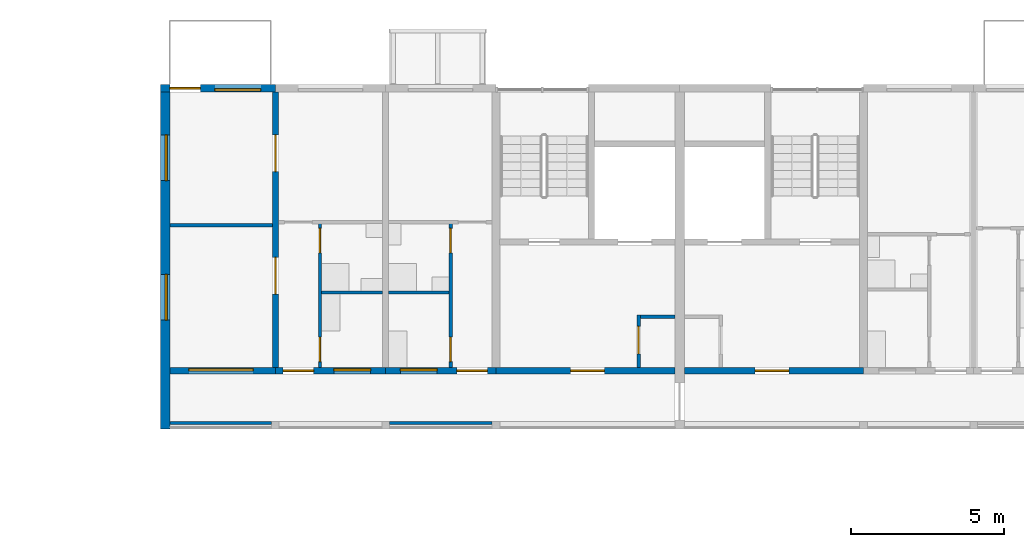
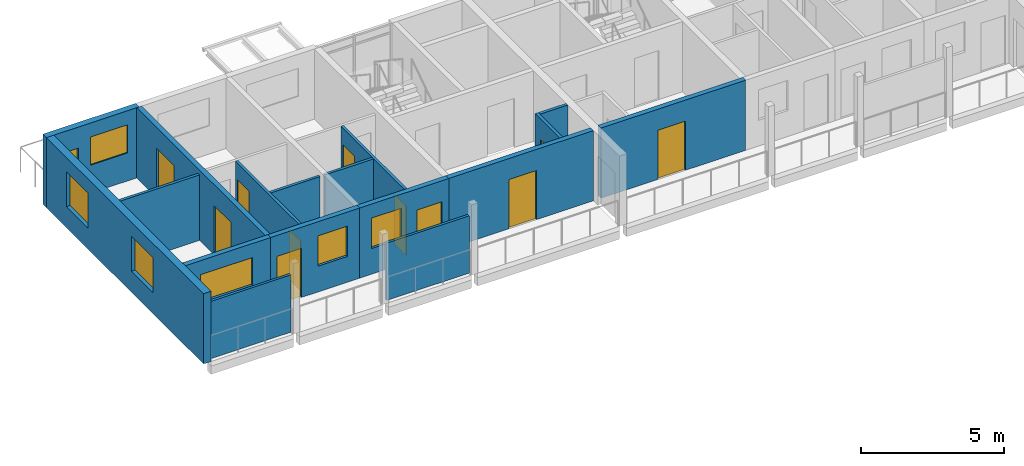
# One storey, part 48 of 115: 17 walls, 12 doors, 6 windows, 18 openings.
"""IFC4 building model written with IfcOpenShell, lengths in metres."""

from ifc_helpers import new_model, si_unit, direction, frame, frame_2d, origin, place, context, subcontext, project, spatial, rectangle, extrude, material, layer, layer_set, type_object, element, fill, save


model = new_model("IFC4")

# Units and contexts
model_context = context("Model", 3, precision=1e-05, world=origin(), true_north=direction((0.0, 1.0)))
body_context = subcontext(model_context, "Body", "Model", "MODEL_VIEW")
ifc_project = project(units=[si_unit("LENGTHUNIT", "METRE"), si_unit("AREAUNIT", "SQUARE_METRE"), si_unit("VOLUMEUNIT", "CUBIC_METRE"), si_unit("PLANEANGLEUNIT", "RADIAN"), si_unit("MASSUNIT", "GRAM", prefix="KILO")], contexts=[model_context])

# Site, building, storey
site_placement = place(None, origin())
site = spatial("IfcSite", under=ifc_project, at=site_placement, CompositionType="ELEMENT")
building_placement = place(site_placement, origin())
building = spatial("IfcBuilding", under=site, at=building_placement, Name="Ridgestep Commons", CompositionType="ELEMENT")
storey_placement = place(building_placement, frame((0.0, 0.0, 6.0)))
storey = spatial("IfcBuildingStorey", under=building, at=storey_placement, Name="L02", CompositionType="ELEMENT", Elevation=6.0)

# Wall, opening, door
ifc_material_1 = material(Name="Concrete C30/37", Category="concrete")
ifc_layer_1 = layer(ifc_material_1, 0.199951171875)
ifc_layer_set_1 = layer_set([ifc_layer_1], Name="Core south wall 200")
wall_type_1 = type_object("IfcWallType", Name="Core south wall 200", PredefinedType="SHEAR", material=ifc_layer_set_1)
wall_1_placement = place(storey_placement, frame((22.800048828125, 67.89990234375, 0.0), z_axis=(0.0, 0.0, 1.0), x_axis=(1.0, 0.0, 0.0)))
wall_1 = element("IfcWall", 1, at=wall_1_placement, inside=storey, type_object=wall_type_1, Name="Core south wall B1C L02", PredefinedType="SHEAR", context=body_context, shape_type="SweptSolid", body=[
    extrude(rectangle(XDim=5.849853515625, YDim=0.199951171875, at=frame_2d((2.9248046875, 0.0))), origin(), (0.0, 0.0, 1.0), 3.0),
])
opening_1_placement = place(wall_1_placement, frame((2.4375, 0.0, 0.0)))
opening_1 = element("IfcOpeningElement", 2, at=opening_1_placement, cuts=wall_1, Name="Opening B1C/02/1", PredefinedType="OPENING", context=body_context, shape_type="SweptSolid", body=[
    extrude(rectangle(XDim=1.10009765625, YDim=2.10009765625, at=frame_2d((0.550048828125, 1.050048828125))), frame((0.0, 0.10986328125, 0.0), z_axis=(0.0, -1.0, 0.0), x_axis=(1.0, 0.0, 0.0)), (0.0, 0.0, 1.0), 0.219970703125),
])
ifc_material_2 = material(Name="Steel fire door", Category="steel")
door_type_1 = type_object("IfcDoorType", Name="Lobby door 1100 x 2100 FD60", OperationType="NOTDEFINED", PredefinedType="DOOR", material=ifc_material_2)
door_1_placement = place(opening_1_placement, origin())
door_1 = element("IfcDoor", 3, at=door_1_placement, inside=storey, type_object=door_type_1, Name="Lobby door B1C/02/1", OperationType="SINGLE_SWING_LEFT", OverallHeight=2.10009765625, OverallWidth=1.10009765625, PredefinedType="DOOR", context=body_context, shape_type="SweptSolid", body=[
    extrude(rectangle(XDim=1.10009765625, YDim=2.10009765625, at=frame_2d((0.550048828125, 1.050048828125))), frame((0.0, 0.02490234375, 0.0), z_axis=(0.0, -1.0, 0.0), x_axis=(1.0, 0.0, 0.0)), (0.0, 0.0, 1.0), 0.050048828125),
])
fill(opening_1, door_1)

wall_2_placement = place(storey_placement, frame((28.949951171875, 67.89990234375, 0.0), z_axis=(0.0, 0.0, 1.0), x_axis=(1.0, 0.0, 0.0)))
wall_2 = element("IfcWall", 4, at=wall_2_placement, inside=storey, type_object=wall_type_1, Name="Core south wall B2C L02", PredefinedType="SHEAR", context=body_context, shape_type="SweptSolid", body=[
    extrude(rectangle(XDim=5.85009765625, YDim=0.199951171875, at=frame_2d((2.925048828125, 0.0))), origin(), (0.0, 0.0, 1.0), 3.0),
])
opening_2_placement = place(wall_2_placement, frame((2.3125, 0.0, 0.0)))
opening_2 = element("IfcOpeningElement", 5, at=opening_2_placement, cuts=wall_2, Name="Opening B2C/02/1", PredefinedType="OPENING", context=body_context, shape_type="SweptSolid", body=[
    extrude(rectangle(XDim=1.10009765625, YDim=2.10009765625, at=frame_2d((0.550048828125, 1.050048828125))), frame((0.0, 0.10986328125, 0.0), z_axis=(0.0, -1.0, 0.0), x_axis=(1.0, 0.0, 0.0)), (0.0, 0.0, 1.0), 0.219970703125),
])
door_2_placement = place(opening_2_placement, origin())
door_2 = element("IfcDoor", 6, at=door_2_placement, inside=storey, type_object=door_type_1, Name="Lobby door B2C/02/1", OperationType="SINGLE_SWING_LEFT", OverallHeight=2.10009765625, OverallWidth=1.10009765625, PredefinedType="DOOR", context=body_context, shape_type="SweptSolid", body=[
    extrude(rectangle(XDim=1.10009765625, YDim=2.10009765625, at=frame_2d((0.550048828125, 1.050048828125))), frame((0.0, 0.02490234375, 0.0), z_axis=(0.0, -1.0, 0.0), x_axis=(1.0, 0.0, 0.0)), (0.0, 0.0, 1.0), 0.050048828125),
])
fill(opening_2, door_2)

ifc_material_3 = material(Name="Concrete C30/37", Category="concrete")
ifc_layer_2 = layer(ifc_material_3, 0.1201171875)
ifc_layer_set_2 = layer_set([ifc_layer_2], Name="Core wall 120")
wall_type_2 = type_object("IfcWallType", Name="Core wall 120", PredefinedType="SHEAR", material=ifc_layer_set_2)
wall_3_placement = place(storey_placement, frame((27.4599609375, 68.0, 0.0), z_axis=(0.0, 0.0, 1.0), x_axis=(0.0, 1.0, 0.0)))
wall_3 = element("IfcWall", 7, at=wall_3_placement, inside=storey, type_object=wall_type_2, Name="Core riser w wall B1C L02", PredefinedType="SHEAR", context=body_context, shape_type="SweptSolid", body=[
    extrude(rectangle(XDim=1.719970703125, YDim=0.1201171875, at=frame_2d((0.85986328125, 0.0))), origin(), (0.0, 0.0, 1.0), 3.0),
])
opening_3_placement = place(wall_3_placement, frame((0.449951171875, 0.0, 0.0)))
opening_3 = element("IfcOpeningElement", 8, at=opening_3_placement, cuts=wall_3, Name="Opening B1C/02/4", PredefinedType="OPENING", context=body_context, shape_type="SweptSolid", body=[
    extrude(rectangle(XDim=0.89990234375, YDim=2.10009765625, at=frame_2d((0.449951171875, 1.050048828125))), frame((0.0, 0.070068359375, 0.0), z_axis=(0.0, -1.0, 0.0), x_axis=(1.0, 0.0, 0.0)), (0.0, 0.0, 1.0), 0.14013671875),
])
ifc_material_4 = material(Name="Steel fire door", Category="steel")
door_type_2 = type_object("IfcDoorType", Name="Riser door 900 x 2100 FD60", OperationType="NOTDEFINED", PredefinedType="DOOR", material=ifc_material_4)
door_3_placement = place(opening_3_placement, origin())
door_3 = element("IfcDoor", 9, at=door_3_placement, inside=storey, type_object=door_type_2, Name="Riser door B1C/02/4", OperationType="SINGLE_SWING_LEFT", OverallHeight=2.10009765625, OverallWidth=0.89990234375, PredefinedType="DOOR", context=body_context, shape_type="SweptSolid", body=[
    extrude(rectangle(XDim=0.89990234375, YDim=2.10009765625, at=frame_2d((0.449951171875, 1.050048828125))), frame((0.0, 0.02490234375, 0.0), z_axis=(0.0, -1.0, 0.0), x_axis=(1.0, 0.0, 0.0)), (0.0, 0.0, 1.0), 0.050048828125),
])
fill(opening_3, door_3)

# Wall
wall_4_placement = place(storey_placement, frame((27.52001953125, 69.659912109375, 0.0), z_axis=(0.0, 0.0, 1.0), x_axis=(1.0, 0.0, 0.0)))
element("IfcWall", 10, at=wall_4_placement, inside=storey, type_object=wall_type_2, Name="Core riser n wall B1C L02", PredefinedType="SHEAR", context=body_context, shape_type="SweptSolid", body=[
    extrude(rectangle(XDim=1.1298828125, YDim=0.1201171875, at=frame_2d((0.56494140625, 0.0))), origin(), (0.0, 0.0, 1.0), 3.0),
])

# Wall, openings, doors
ifc_material_5 = material(Name="Precast concrete C40/50", Category="concrete")
ifc_layer_3 = layer(ifc_material_5, 0.199951171875)
ifc_layer_set_3 = layer_set([ifc_layer_3], Name="Cross wall 200")
wall_type_3 = type_object("IfcWallType", Name="Cross wall 200", PredefinedType="SHEAR", material=ifc_layer_set_3)
wall_5_placement = place(storey_placement, frame((15.60009765625, 68.0, 0.0), z_axis=(0.0, 0.0, 1.0), x_axis=(0.0, 1.0, 0.0)))
wall_5 = element("IfcWall", 11, at=wall_5_placement, inside=storey, type_object=wall_type_3, Name="Cross wall B-02-0156", PredefinedType="SHEAR", context=body_context, shape_type="SweptSolid", body=[
    extrude(rectangle(XDim=9.0, YDim=0.199951171875, at=frame_2d((4.5, 0.0))), origin(), (0.0, 0.0, 1.0), 3.0),
])
opening_4_placement = place(wall_5_placement, frame((2.39990234375, 0.0, 0.0)))
opening_4 = element("IfcOpeningElement", 12, at=opening_4_placement, cuts=wall_5, Name="Opening B1-02a/5", PredefinedType="OPENING", context=body_context, shape_type="SweptSolid", body=[
    extrude(rectangle(XDim=1.199951171875, YDim=2.10009765625, at=frame_2d((0.60009765625, 1.050048828125))), frame((0.0, 0.10986328125, 0.0), z_axis=(0.0, -1.0, 0.0), x_axis=(1.0, 0.0, 0.0)), (0.0, 0.0, 1.0), 0.219970703125),
])
opening_5_placement = place(wall_5_placement, frame((6.39990234375, 0.0, 0.0)))
opening_5 = element("IfcOpeningElement", 13, at=opening_5_placement, cuts=wall_5, Name="Opening B1-02a/6", PredefinedType="OPENING", context=body_context, shape_type="SweptSolid", body=[
    extrude(rectangle(XDim=1.199951171875, YDim=2.10009765625, at=frame_2d((0.60009765625, 1.050048828125))), frame((0.0, 0.10986328125, 0.0), z_axis=(0.0, -1.0, 0.0), x_axis=(1.0, 0.0, 0.0)), (0.0, 0.0, 1.0), 0.219970703125),
])
ifc_material_6 = material(Name="Timber door leaf", Category="wood")
door_type_3 = type_object("IfcDoorType", Name="Double door 1200 x 2100", OperationType="DOUBLE_DOOR_SINGLE_SWING", PredefinedType="DOOR", material=ifc_material_6)
door_4_placement = place(opening_4_placement, origin())
door_4 = element("IfcDoor", 14, at=door_4_placement, inside=storey, type_object=door_type_3, Name="Double door B1-02a/5", OperationType="DOUBLE_DOOR_SINGLE_SWING", OverallHeight=2.10009765625, OverallWidth=1.199951171875, PredefinedType="DOOR", context=body_context, shape_type="SweptSolid", body=[
    extrude(rectangle(XDim=1.199951171875, YDim=2.10009765625, at=frame_2d((0.60009765625, 1.050048828125))), frame((0.0, 0.02490234375, 0.0), z_axis=(0.0, -1.0, 0.0), x_axis=(1.0, 0.0, 0.0)), (0.0, 0.0, 1.0), 0.050048828125),
])
fill(opening_4, door_4)
door_5_placement = place(opening_5_placement, origin())
door_5 = element("IfcDoor", 15, at=door_5_placement, inside=storey, type_object=door_type_3, Name="Double door B1-02a/6", OperationType="DOUBLE_DOOR_SINGLE_SWING", OverallHeight=2.10009765625, OverallWidth=1.199951171875, PredefinedType="DOOR", context=body_context, shape_type="SweptSolid", body=[
    extrude(rectangle(XDim=1.199951171875, YDim=2.10009765625, at=frame_2d((0.60009765625, 1.050048828125))), frame((0.0, 0.02490234375, 0.0), z_axis=(0.0, -1.0, 0.0), x_axis=(1.0, 0.0, 0.0)), (0.0, 0.0, 1.0), 0.050048828125),
])
fill(opening_5, door_5)

# Wall, openings, windows
ifc_material_7 = material(Name="Precast concrete C40/50", Category="concrete")
ifc_layer_4 = layer(ifc_material_7, 0.300048828125)
ifc_layer_set_4 = layer_set([ifc_layer_4], Name="Exposed division wall 300")
wall_type_4 = type_object("IfcWallType", Name="Exposed division wall 300", PredefinedType="SHEAR", material=ifc_layer_set_4)
wall_6_placement = place(storey_placement, frame((12.0, 66.0, 0.0), z_axis=(0.0, 0.0, 1.0), x_axis=(0.0, 1.0, 0.0)))
wall_6 = element("IfcWall", 16, at=wall_6_placement, inside=storey, type_object=wall_type_4, Name="Cross wall B-02-0120", PredefinedType="SHEAR", context=body_context, shape_type="SweptSolid", body=[
    extrude(rectangle(XDim=11.0, YDim=0.300048828125, at=frame_2d((5.5, 0.0))), origin(), (0.0, 0.0, 1.0), 3.0),
])
opening_6_placement = place(wall_6_placement, frame((3.550048828125, 0.0, 0.89990234375)))
opening_6 = element("IfcOpeningElement", 17, at=opening_6_placement, cuts=wall_6, Name="Opening W16", PredefinedType="OPENING", context=body_context, shape_type="SweptSolid", body=[
    extrude(rectangle(XDim=1.5, YDim=1.5, at=frame_2d((0.75, 0.75))), frame((0.0, 0.159912109375, 0.0), z_axis=(0.0, -1.0, 0.0), x_axis=(1.0, 0.0, 0.0)), (0.0, 0.0, 1.0), 0.320068359375),
])
opening_7_placement = place(wall_6_placement, frame((8.10498046875, 0.0, 0.89990234375)))
opening_7 = element("IfcOpeningElement", 18, at=opening_7_placement, cuts=wall_6, Name="Opening W16", PredefinedType="OPENING", context=body_context, shape_type="SweptSolid", body=[
    extrude(rectangle(XDim=1.5, YDim=1.5, at=frame_2d((0.75, 0.75))), frame((0.0, 0.159912109375, 0.0), z_axis=(0.0, -1.0, 0.0), x_axis=(1.0, 0.0, 0.0)), (0.0, 0.0, 1.0), 0.320068359375),
])
ifc_material_8 = material(Name="Aluminium 6063-T6 and glass", Category="aluminium")
window_type_1 = type_object("IfcWindowType", Name="Flat window 1500 x 1500", PartitioningType="DOUBLE_PANEL_VERTICAL", PredefinedType="WINDOW", material=ifc_material_8)
window_1_placement = place(opening_6_placement, origin())
window_1 = element("IfcWindow", 19, at=window_1_placement, inside=storey, type_object=window_type_1, Name="Window B1-02a 5", OverallHeight=1.5, OverallWidth=1.5, PartitioningType="SINGLE_PANEL", PredefinedType="WINDOW", context=body_context, shape_type="SweptSolid", body=[
    extrude(rectangle(XDim=1.5, YDim=1.5, at=frame_2d((0.75, 0.75))), frame((0.0, 0.0, 0.0), z_axis=(0.0, -1.0, 0.0), x_axis=(1.0, 0.0, 0.0)), (0.0, 0.0, 1.0), 0.06005859375),
])
fill(opening_6, window_1)
window_2_placement = place(opening_7_placement, origin())
window_2 = element("IfcWindow", 20, at=window_2_placement, inside=storey, type_object=window_type_1, Name="Window B1-02a 6", OverallHeight=1.5, OverallWidth=1.5, PartitioningType="SINGLE_PANEL", PredefinedType="WINDOW", context=body_context, shape_type="SweptSolid", body=[
    extrude(rectangle(XDim=1.5, YDim=1.5, at=frame_2d((0.75, 0.75))), frame((0.0, 0.0, 0.0), z_axis=(0.0, -1.0, 0.0), x_axis=(1.0, 0.0, 0.0)), (0.0, 0.0, 1.0), 0.06005859375),
])
fill(opening_7, window_2)

# Wall, openings, door, window
ifc_material_9 = material(Name="Precast concrete C40/50", Category="concrete")
ifc_layer_5 = layer(ifc_material_9, 0.25)
ifc_layer_set_5 = layer_set([ifc_layer_5], Name="North facade panel 250")
wall_type_5 = type_object("IfcWallType", Name="North facade panel 250", PredefinedType="SOLIDWALL", material=ifc_layer_set_5)
wall_7_placement = place(storey_placement, frame((11.85009765625, 77.125, 0.0), z_axis=(0.0, 0.0, 1.0), x_axis=(1.0, 0.0, 0.0)))
wall_7 = element("IfcWall", 21, at=wall_7_placement, inside=storey, type_object=wall_type_5, Name="North panel B1T1 L02", PredefinedType="SOLIDWALL", context=body_context, shape_type="SweptSolid", body=[
    extrude(rectangle(XDim=3.75, YDim=0.25, at=frame_2d((1.875, 0.0))), origin(), (0.0, 0.0, 1.0), 3.0),
])
opening_8_placement = place(wall_7_placement, frame((1.77490234375, 0.0, 1.199951171875)))
opening_8 = element("IfcOpeningElement", 22, at=opening_8_placement, cuts=wall_7, Name="Opening W13", PredefinedType="OPENING", context=body_context, shape_type="SweptSolid", body=[
    extrude(rectangle(XDim=1.5, YDim=1.199951171875, at=frame_2d((0.75, 0.60009765625))), frame((0.0, 0.135009765625, 0.0), z_axis=(0.0, -1.0, 0.0), x_axis=(1.0, 0.0, 0.0)), (0.0, 0.0, 1.0), 0.27001953125),
])
opening_9_placement = place(wall_7_placement, frame((0.300048828125, 0.0, 0.0)))
opening_9 = element("IfcOpeningElement", 23, at=opening_9_placement, cuts=wall_7, Name="Opening B1-02a/7", PredefinedType="OPENING", context=body_context, shape_type="SweptSolid", body=[
    extrude(rectangle(XDim=1.0, YDim=2.10009765625, at=frame_2d((0.5, 1.050048828125))), frame((0.0, 0.135009765625, 0.0), z_axis=(0.0, -1.0, 0.0), x_axis=(1.0, 0.0, 0.0)), (0.0, 0.0, 1.0), 0.27001953125),
])
ifc_material_10 = material(Name="Aluminium and glass", Category="aluminium")
door_type_4 = type_object("IfcDoorType", Name="Balcony door 1000 x 2100", OperationType="NOTDEFINED", PredefinedType="DOOR", material=ifc_material_10)
door_6_placement = place(opening_9_placement, origin())
door_6 = element("IfcDoor", 24, at=door_6_placement, inside=storey, type_object=door_type_4, Name="Balcony door B1-02a/7", OperationType="SINGLE_SWING_RIGHT", OverallHeight=2.10009765625, OverallWidth=1.0, PredefinedType="DOOR", context=body_context, shape_type="SweptSolid", body=[
    extrude(rectangle(XDim=1.0, YDim=2.10009765625, at=frame_2d((0.5, 1.050048828125))), frame((0.0, 0.02490234375, 0.0), z_axis=(0.0, -1.0, 0.0), x_axis=(1.0, 0.0, 0.0)), (0.0, 0.0, 1.0), 0.050048828125),
])
fill(opening_9, door_6)
ifc_material_11 = material(Name="Aluminium 6063-T6 and glass", Category="aluminium")
window_type_2 = type_object("IfcWindowType", Name="Flat window 1500 x 1200", PartitioningType="DOUBLE_PANEL_VERTICAL", PredefinedType="WINDOW", material=ifc_material_11)
window_3_placement = place(opening_8_placement, origin())
window_3 = element("IfcWindow", 25, at=window_3_placement, inside=storey, type_object=window_type_2, Name="Window B1-02a 2", OverallHeight=1.199951171875, OverallWidth=1.5, PartitioningType="SINGLE_PANEL", PredefinedType="WINDOW", context=body_context, shape_type="SweptSolid", body=[
    extrude(rectangle(XDim=1.5, YDim=1.199951171875, at=frame_2d((0.75, 0.60009765625))), frame((0.0, -0.02490234375, 0.0), z_axis=(0.0, -1.0, 0.0), x_axis=(1.0, 0.0, 0.0)), (0.0, 0.0, 1.0), 0.06005859375),
])
fill(opening_8, window_3)

# Wall, openings, doors
ifc_material_12 = material(Name="Common brick 110 mm", Category="masonry")
ifc_layer_6 = layer(ifc_material_12, 0.110107421875)
ifc_layer_set_6 = layer_set([ifc_layer_6], Name="Partition 110")
wall_type_6 = type_object("IfcWallType", Name="Partition 110", PredefinedType="PARTITIONING", material=ifc_layer_set_6)
wall_8_placement = place(storey_placement, frame((17.054931640625, 68.0, 0.0), z_axis=(0.0, 0.0, 1.0), x_axis=(0.0, 1.0, 0.0)))
wall_8 = element("IfcWall", 26, at=wall_8_placement, inside=storey, type_object=wall_type_6, Name="Partition B1-02a", PredefinedType="PARTITIONING", context=body_context, shape_type="SweptSolid", body=[
    extrude(rectangle(XDim=4.699951171875, YDim=0.110107421875, at=frame_2d((2.35009765625, 0.0))), origin(), (0.0, 0.0, 1.0), 2.800048828125),
])
opening_10_placement = place(wall_8_placement, frame((0.199951171875, 0.0, 0.0)))
opening_10 = element("IfcOpeningElement", 27, at=opening_10_placement, cuts=wall_8, Name="Opening B1-02a/2", PredefinedType="OPENING", context=body_context, shape_type="SweptSolid", body=[
    extrude(rectangle(XDim=0.800048828125, YDim=2.10009765625, at=frame_2d((0.39990234375, 1.050048828125))), frame((0.0, 0.06494140625, 0.0), z_axis=(0.0, -1.0, 0.0), x_axis=(1.0, 0.0, 0.0)), (0.0, 0.0, 1.0), 0.130126953125),
])
opening_11_placement = place(wall_8_placement, frame((3.75, 0.0, 0.0)))
opening_11 = element("IfcOpeningElement", 28, at=opening_11_placement, cuts=wall_8, Name="Opening B1-02a/3", PredefinedType="OPENING", context=body_context, shape_type="SweptSolid", body=[
    extrude(rectangle(XDim=0.800048828125, YDim=2.10009765625, at=frame_2d((0.39990234375, 1.050048828125))), frame((0.0, 0.06494140625, 0.0), z_axis=(0.0, -1.0, 0.0), x_axis=(1.0, 0.0, 0.0)), (0.0, 0.0, 1.0), 0.130126953125),
])
ifc_material_13 = material(Name="Timber door leaf", Category="wood")
door_type_5 = type_object("IfcDoorType", Name="Internal door 800 x 2100", OperationType="NOTDEFINED", PredefinedType="DOOR", material=ifc_material_13)
door_7_placement = place(opening_10_placement, origin())
door_7 = element("IfcDoor", 29, at=door_7_placement, inside=storey, type_object=door_type_5, Name="Internal door B1-02a/2", OperationType="SINGLE_SWING_RIGHT", OverallHeight=2.10009765625, OverallWidth=0.800048828125, PredefinedType="DOOR", context=body_context, shape_type="SweptSolid", body=[
    extrude(rectangle(XDim=0.800048828125, YDim=2.10009765625, at=frame_2d((0.39990234375, 1.050048828125))), frame((0.0, 0.02490234375, 0.0), z_axis=(0.0, -1.0, 0.0), x_axis=(1.0, 0.0, 0.0)), (0.0, 0.0, 1.0), 0.050048828125),
])
fill(opening_10, door_7)
door_8_placement = place(opening_11_placement, origin())
door_8 = element("IfcDoor", 30, at=door_8_placement, inside=storey, type_object=door_type_5, Name="Internal door B1-02a/3", OperationType="SINGLE_SWING_LEFT", OverallHeight=2.10009765625, OverallWidth=0.800048828125, PredefinedType="DOOR", context=body_context, shape_type="SweptSolid", body=[
    extrude(rectangle(XDim=0.800048828125, YDim=2.10009765625, at=frame_2d((0.39990234375, 1.050048828125))), frame((0.0, 0.02490234375, 0.0), z_axis=(0.0, -1.0, 0.0), x_axis=(1.0, 0.0, 0.0)), (0.0, 0.0, 1.0), 0.050048828125),
])
fill(opening_11, door_8)

# Walls
wall_9_placement = place(storey_placement, frame((17.110107421875, 70.455078125, 0.0), z_axis=(0.0, 0.0, 1.0), x_axis=(1.0, 0.0, 0.0)))
element("IfcWall", 31, at=wall_9_placement, inside=storey, type_object=wall_type_6, Name="Partition B1-02a", PredefinedType="PARTITIONING", context=body_context, shape_type="SweptSolid", body=[
    extrude(rectangle(XDim=1.989990234375, YDim=0.110107421875, at=frame_2d((0.9951171875, 0.0))), origin(), (0.0, 0.0, 1.0), 2.800048828125),
])
wall_10_placement = place(storey_placement, frame((12.14990234375, 72.655029296875, 0.0), z_axis=(0.0, 0.0, 1.0), x_axis=(1.0, 0.0, 0.0)))
element("IfcWall", 32, at=wall_10_placement, inside=storey, type_object=wall_type_6, Name="Partition B1-02a", PredefinedType="PARTITIONING", context=body_context, shape_type="SweptSolid", body=[
    extrude(rectangle(XDim=3.35009765625, YDim=0.110107421875, at=frame_2d((1.675048828125, 0.0))), origin(), (0.0, 0.0, 1.0), 2.800048828125),
])
wall_11_placement = place(storey_placement, frame((19.300048828125, 70.455078125, 0.0), z_axis=(0.0, 0.0, 1.0), x_axis=(1.0, 0.0, 0.0)))
element("IfcWall", 33, at=wall_11_placement, inside=storey, type_object=wall_type_6, Name="Partition B1-02b", PredefinedType="PARTITIONING", context=body_context, shape_type="SweptSolid", body=[
    extrude(rectangle(XDim=1.96484375, YDim=0.110107421875, at=frame_2d((0.982421875, 0.0))), origin(), (0.0, 0.0, 1.0), 2.800048828125),
])

# Wall, openings, doors
wall_12_placement = place(storey_placement, frame((21.320068359375, 68.0, 0.0), z_axis=(0.0, 0.0, 1.0), x_axis=(0.0, 1.0, 0.0)))
wall_12 = element("IfcWall", 34, at=wall_12_placement, inside=storey, type_object=wall_type_6, Name="Partition B1-02b", PredefinedType="PARTITIONING", context=body_context, shape_type="SweptSolid", body=[
    extrude(rectangle(XDim=4.699951171875, YDim=0.110107421875, at=frame_2d((2.35009765625, 0.0))), origin(), (0.0, 0.0, 1.0), 2.800048828125),
])
opening_12_placement = place(wall_12_placement, frame((0.199951171875, 0.0, 0.0)))
opening_12 = element("IfcOpeningElement", 35, at=opening_12_placement, cuts=wall_12, Name="Opening B1-02b/2", PredefinedType="OPENING", context=body_context, shape_type="SweptSolid", body=[
    extrude(rectangle(XDim=0.800048828125, YDim=2.10009765625, at=frame_2d((0.39990234375, 1.050048828125))), frame((0.0, 0.06494140625, 0.0), z_axis=(0.0, -1.0, 0.0), x_axis=(1.0, 0.0, 0.0)), (0.0, 0.0, 1.0), 0.130126953125),
])
opening_13_placement = place(wall_12_placement, frame((3.75, 0.0, 0.0)))
opening_13 = element("IfcOpeningElement", 36, at=opening_13_placement, cuts=wall_12, Name="Opening B1-02b/3", PredefinedType="OPENING", context=body_context, shape_type="SweptSolid", body=[
    extrude(rectangle(XDim=0.800048828125, YDim=2.10009765625, at=frame_2d((0.39990234375, 1.050048828125))), frame((0.0, 0.06494140625, 0.0), z_axis=(0.0, -1.0, 0.0), x_axis=(1.0, 0.0, 0.0)), (0.0, 0.0, 1.0), 0.130126953125),
])
door_9_placement = place(opening_12_placement, origin())
door_9 = element("IfcDoor", 37, at=door_9_placement, inside=storey, type_object=door_type_5, Name="Internal door B1-02b/2", OperationType="SINGLE_SWING_LEFT", OverallHeight=2.10009765625, OverallWidth=0.800048828125, PredefinedType="DOOR", context=body_context, shape_type="SweptSolid", body=[
    extrude(rectangle(XDim=0.800048828125, YDim=2.10009765625, at=frame_2d((0.39990234375, 1.050048828125))), frame((0.0, 0.02490234375, 0.0), z_axis=(0.0, -1.0, 0.0), x_axis=(1.0, 0.0, 0.0)), (0.0, 0.0, 1.0), 0.050048828125),
])
fill(opening_12, door_9)
door_10_placement = place(opening_13_placement, origin())
door_10 = element("IfcDoor", 38, at=door_10_placement, inside=storey, type_object=door_type_5, Name="Internal door B1-02b/3", OperationType="SINGLE_SWING_RIGHT", OverallHeight=2.10009765625, OverallWidth=0.800048828125, PredefinedType="DOOR", context=body_context, shape_type="SweptSolid", body=[
    extrude(rectangle(XDim=0.800048828125, YDim=2.10009765625, at=frame_2d((0.39990234375, 1.050048828125))), frame((0.0, 0.02490234375, 0.0), z_axis=(0.0, -1.0, 0.0), x_axis=(1.0, 0.0, 0.0)), (0.0, 0.0, 1.0), 0.050048828125),
])
fill(opening_13, door_10)

# Walls
ifc_material_14 = material(Name="Precast concrete C30/37", Category="concrete")
ifc_layer_7 = layer(ifc_material_14, 0.10009765625)
ifc_layer_set_7 = layer_set([ifc_layer_7], Name="Perforated gallery screen 3325 x 2450 x 100")
wall_type_7 = type_object("IfcWallType", Name="Perforated gallery screen 3325 x 2450 x 100", PredefinedType="SOLIDWALL", material=ifc_layer_set_7)
wall_13_placement = place(storey_placement, frame((12.14990234375, 66.199951171875, 0.0), z_axis=(0.0, 0.0, 1.0), x_axis=(1.0, 0.0, 0.0)))
element("IfcWall", 39, at=wall_13_placement, inside=storey, type_object=wall_type_7, Name="Gallery screen B1T1 02", PredefinedType="SOLIDWALL", context=body_context, shape_type="SweptSolid", body=[
    extrude(rectangle(XDim=3.3251953125, YDim=0.10009765625, at=frame_2d((1.66259765625, 0.0))), origin(), (0.0, 0.0, 1.0), 2.449951171875),
])
ifc_material_15 = material(Name="Precast concrete C30/37", Category="concrete")
ifc_layer_8 = layer(ifc_material_15, 0.10009765625)
ifc_layer_set_8 = layer_set([ifc_layer_8], Name="Perforated gallery screen 3350 x 2450 x 100")
wall_type_8 = type_object("IfcWallType", Name="Perforated gallery screen 3350 x 2450 x 100", PredefinedType="SOLIDWALL", material=ifc_layer_set_8)
wall_14_placement = place(storey_placement, frame((19.324951171875, 66.199951171875, 0.0), z_axis=(0.0, 0.0, 1.0), x_axis=(1.0, 0.0, 0.0)))
element("IfcWall", 40, at=wall_14_placement, inside=storey, type_object=wall_type_8, Name="Gallery screen B1T3 02", PredefinedType="SOLIDWALL", context=body_context, shape_type="SweptSolid", body=[
    extrude(rectangle(XDim=3.35009765625, YDim=0.10009765625, at=frame_2d((1.675048828125, 0.0))), origin(), (0.0, 0.0, 1.0), 2.449951171875),
])

# Wall, opening, window
ifc_material_16 = material(Name="Precast concrete C40/50", Category="concrete")
ifc_layer_9 = layer(ifc_material_16, 0.199951171875)
ifc_layer_set_9 = layer_set([ifc_layer_9], Name="South facade panel 200")
wall_type_9 = type_object("IfcWallType", Name="South facade panel 200", PredefinedType="SOLIDWALL", material=ifc_layer_set_9)
wall_15_placement = place(storey_placement, frame((12.14990234375, 67.89990234375, 0.0), z_axis=(0.0, 0.0, 1.0), x_axis=(1.0, 0.0, 0.0)))
wall_15 = element("IfcWall", 41, at=wall_15_placement, inside=storey, type_object=wall_type_9, Name="South panel B1T1 L02", PredefinedType="SOLIDWALL", context=body_context, shape_type="SweptSolid", body=[
    extrude(rectangle(XDim=3.4501953125, YDim=0.199951171875, at=frame_2d((1.72509765625, 0.0))), origin(), (0.0, 0.0, 1.0), 3.0),
])
opening_14_placement = place(wall_15_placement, frame((0.625, 0.0, 1.199951171875)))
opening_14 = element("IfcOpeningElement", 42, at=opening_14_placement, cuts=wall_15, Name="Opening W22", PredefinedType="OPENING", context=body_context, shape_type="SweptSolid", body=[
    extrude(rectangle(XDim=2.10009765625, YDim=1.199951171875, at=frame_2d((1.050048828125, 0.60009765625))), frame((0.0, 0.10986328125, 0.0), z_axis=(0.0, -1.0, 0.0), x_axis=(1.0, 0.0, 0.0)), (0.0, 0.0, 1.0), 0.219970703125),
])
ifc_material_17 = material(Name="Aluminium 6063-T6 and glass", Category="aluminium")
window_type_3 = type_object("IfcWindowType", Name="Flat window 2100 x 1200", PartitioningType="DOUBLE_PANEL_VERTICAL", PredefinedType="WINDOW", material=ifc_material_17)
window_4_placement = place(opening_14_placement, origin())
window_4 = element("IfcWindow", 43, at=window_4_placement, inside=storey, type_object=window_type_3, Name="Window B1-02a 1", OverallHeight=1.199951171875, OverallWidth=2.10009765625, PartitioningType="SINGLE_PANEL", PredefinedType="WINDOW", context=body_context, shape_type="SweptSolid", body=[
    extrude(rectangle(XDim=2.10009765625, YDim=1.199951171875, at=frame_2d((1.050048828125, 0.60009765625))), frame((0.0, 0.06005859375, 0.0), z_axis=(0.0, -1.0, 0.0), x_axis=(1.0, 0.0, 0.0)), (0.0, 0.0, 1.0), 0.06005859375),
])
fill(opening_14, window_4)

# Wall, openings, door, window
wall_16_placement = place(storey_placement, frame((15.60009765625, 67.89990234375, 0.0), z_axis=(0.0, 0.0, 1.0), x_axis=(1.0, 0.0, 0.0)))
wall_16 = element("IfcWall", 44, at=wall_16_placement, inside=storey, type_object=wall_type_9, Name="South panel B1T2 L02", PredefinedType="SOLIDWALL", context=body_context, shape_type="SweptSolid", body=[
    extrude(rectangle(XDim=3.599853515625, YDim=0.199951171875, at=frame_2d((1.7998046875, 0.0))), origin(), (0.0, 0.0, 1.0), 3.0),
])
opening_15_placement = place(wall_16_placement, frame((1.905029296875, 0.0, 1.10009765625)))
opening_15 = element("IfcOpeningElement", 45, at=opening_15_placement, cuts=wall_16, Name="Opening W08", PredefinedType="OPENING", context=body_context, shape_type="SweptSolid", body=[
    extrude(rectangle(XDim=1.199951171875, YDim=1.300048828125, at=frame_2d((0.60009765625, 0.64990234375))), frame((0.0, 0.10986328125, 0.0), z_axis=(0.0, -1.0, 0.0), x_axis=(1.0, 0.0, 0.0)), (0.0, 0.0, 1.0), 0.219970703125),
])
opening_16_placement = place(wall_16_placement, frame((0.25, 0.0, 0.0)))
opening_16 = element("IfcOpeningElement", 46, at=opening_16_placement, cuts=wall_16, Name="Opening B1-02a/1", PredefinedType="OPENING", context=body_context, shape_type="SweptSolid", body=[
    extrude(rectangle(XDim=1.0, YDim=2.10009765625, at=frame_2d((0.5, 1.050048828125))), frame((0.0, 0.10986328125, 0.0), z_axis=(0.0, -1.0, 0.0), x_axis=(1.0, 0.0, 0.0)), (0.0, 0.0, 1.0), 0.219970703125),
])
ifc_material_18 = material(Name="Timber door leaf", Category="wood")
door_type_6 = type_object("IfcDoorType", Name="Flat entrance door 1000 x 2100 FD30S", OperationType="NOTDEFINED", PredefinedType="DOOR", material=ifc_material_18)
door_11_placement = place(opening_16_placement, origin())
door_11 = element("IfcDoor", 47, at=door_11_placement, inside=storey, type_object=door_type_6, Name="Flat entrance door B1-02a/1", OperationType="SINGLE_SWING_LEFT", OverallHeight=2.10009765625, OverallWidth=1.0, PredefinedType="DOOR", context=body_context, shape_type="SweptSolid", body=[
    extrude(rectangle(XDim=1.0, YDim=2.10009765625, at=frame_2d((0.5, 1.050048828125))), frame((0.0, 0.02490234375, 0.0), z_axis=(0.0, -1.0, 0.0), x_axis=(1.0, 0.0, 0.0)), (0.0, 0.0, 1.0), 0.050048828125),
])
fill(opening_16, door_11)
ifc_material_19 = material(Name="Aluminium 6063-T6 and glass", Category="aluminium")
window_type_4 = type_object("IfcWindowType", Name="Flat window 1200 x 1300", PartitioningType="SINGLE_PANEL", PredefinedType="WINDOW", material=ifc_material_19)
window_5_placement = place(opening_15_placement, origin())
window_5 = element("IfcWindow", 48, at=window_5_placement, inside=storey, type_object=window_type_4, Name="Window B1-02a 3", OverallHeight=1.300048828125, OverallWidth=1.199951171875, PartitioningType="SINGLE_PANEL", PredefinedType="WINDOW", context=body_context, shape_type="SweptSolid", body=[
    extrude(rectangle(XDim=1.199951171875, YDim=1.300048828125, at=frame_2d((0.60009765625, 0.64990234375))), frame((0.0, 0.06005859375, 0.0), z_axis=(0.0, -1.0, 0.0), x_axis=(1.0, 0.0, 0.0)), (0.0, 0.0, 1.0), 0.06005859375),
])
fill(opening_15, window_5)

wall_17_placement = place(storey_placement, frame((19.199951171875, 67.89990234375, 0.0), z_axis=(0.0, 0.0, 1.0), x_axis=(1.0, 0.0, 0.0)))
wall_17 = element("IfcWall", 49, at=wall_17_placement, inside=storey, type_object=wall_type_9, Name="South panel B1T3 L02", PredefinedType="SOLIDWALL", context=body_context, shape_type="SweptSolid", body=[
    extrude(rectangle(XDim=3.60009765625, YDim=0.199951171875, at=frame_2d((1.800048828125, 0.0))), origin(), (0.0, 0.0, 1.0), 3.0),
])
opening_17_placement = place(wall_17_placement, frame((0.482421875, 0.0, 1.10009765625)))
opening_17 = element("IfcOpeningElement", 50, at=opening_17_placement, cuts=wall_17, Name="Opening W08", PredefinedType="OPENING", context=body_context, shape_type="SweptSolid", body=[
    extrude(rectangle(XDim=1.199951171875, YDim=1.300048828125, at=frame_2d((0.60009765625, 0.64990234375))), frame((0.0, 0.10986328125, 0.0), z_axis=(0.0, -1.0, 0.0), x_axis=(1.0, 0.0, 0.0)), (0.0, 0.0, 1.0), 0.219970703125),
])
opening_18_placement = place(wall_17_placement, frame((2.324951171875, 0.0, 0.0)))
opening_18 = element("IfcOpeningElement", 51, at=opening_18_placement, cuts=wall_17, Name="Opening B1-02b/1", PredefinedType="OPENING", context=body_context, shape_type="SweptSolid", body=[
    extrude(rectangle(XDim=1.0, YDim=2.10009765625, at=frame_2d((0.5, 1.050048828125))), frame((0.0, 0.10986328125, 0.0), z_axis=(0.0, -1.0, 0.0), x_axis=(1.0, 0.0, 0.0)), (0.0, 0.0, 1.0), 0.219970703125),
])
door_12_placement = place(opening_18_placement, origin())
door_12 = element("IfcDoor", 52, at=door_12_placement, inside=storey, type_object=door_type_6, Name="Flat entrance door B1-02b/1", OperationType="SINGLE_SWING_RIGHT", OverallHeight=2.10009765625, OverallWidth=1.0, PredefinedType="DOOR", context=body_context, shape_type="SweptSolid", body=[
    extrude(rectangle(XDim=1.0, YDim=2.10009765625, at=frame_2d((0.5, 1.050048828125))), frame((0.0, 0.02490234375, 0.0), z_axis=(0.0, -1.0, 0.0), x_axis=(1.0, 0.0, 0.0)), (0.0, 0.0, 1.0), 0.050048828125),
])
fill(opening_18, door_12)
window_6_placement = place(opening_17_placement, origin())
window_6 = element("IfcWindow", 53, at=window_6_placement, inside=storey, type_object=window_type_4, Name="Window B1-02b 1", OverallHeight=1.300048828125, OverallWidth=1.199951171875, PartitioningType="SINGLE_PANEL", PredefinedType="WINDOW", context=body_context, shape_type="SweptSolid", body=[
    extrude(rectangle(XDim=1.199951171875, YDim=1.300048828125, at=frame_2d((0.60009765625, 0.64990234375))), frame((0.0, 0.06005859375, 0.0), z_axis=(0.0, -1.0, 0.0), x_axis=(1.0, 0.0, 0.0)), (0.0, 0.0, 1.0), 0.06005859375),
])
fill(opening_17, window_6)

save(model, "model.ifc")
